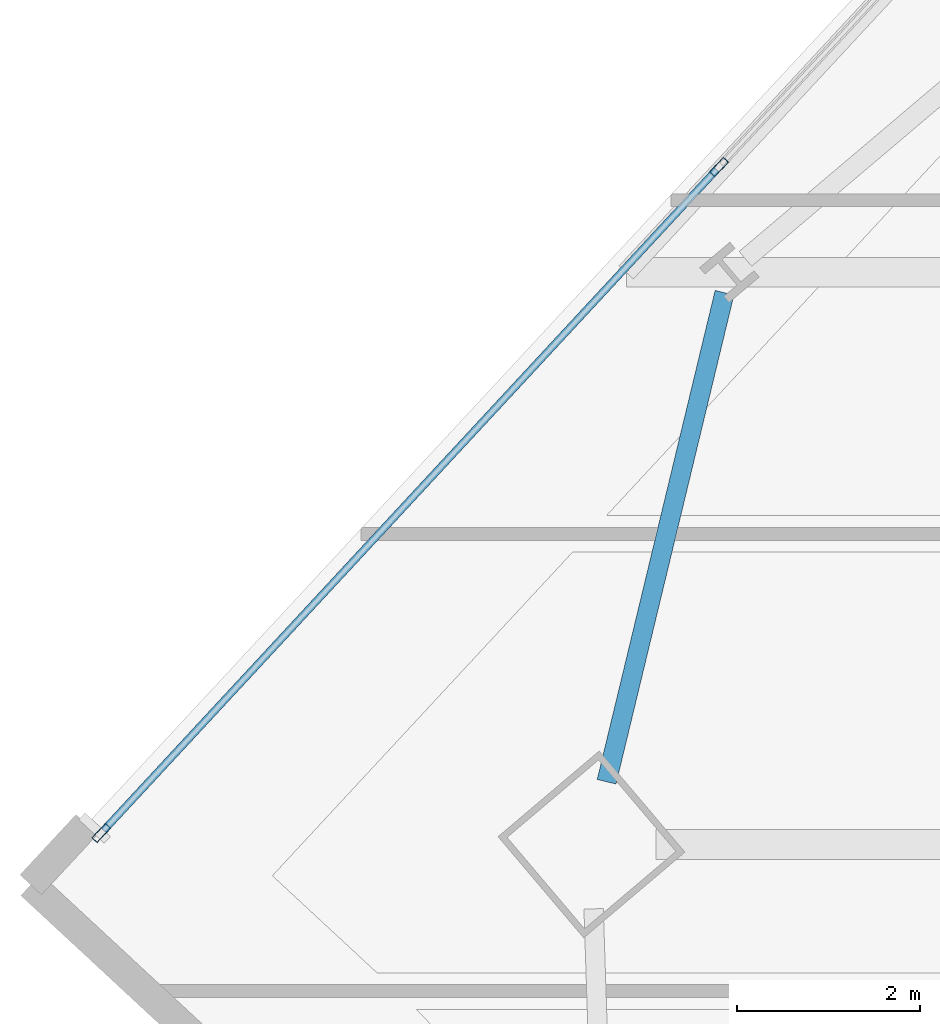
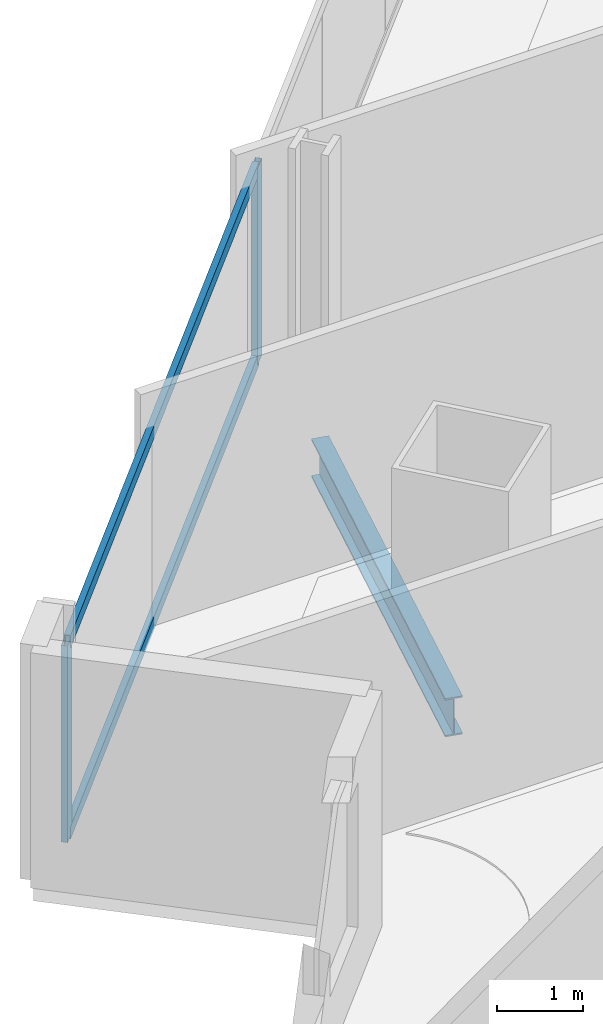
# One storey, part 13 of 32: 4 members, 1 beam, 1 element without a shape of its own.
"""IFC4 building model written with IfcOpenShell, lengths in metres."""

from ifc_helpers import new_model, si_unit, direction, frame, origin, origin_2d, place, context, subcontext, project, spatial, hollow_rectangle, i_section, extrude, material, material_profile, profile_set, type_object, element, aggregate, save


model = new_model("IFC4")

# Units and contexts
model_context = context("Model", 3, precision=1e-05, world=origin(), true_north=direction((0.0, 1.0)))
body_context = subcontext(model_context, "Body", "Model", "MODEL_VIEW")
ifc_project = project(units=[si_unit("LENGTHUNIT", "METRE"), si_unit("AREAUNIT", "SQUARE_METRE"), si_unit("VOLUMEUNIT", "CUBIC_METRE"), si_unit("PLANEANGLEUNIT", "RADIAN"), si_unit("MASSUNIT", "GRAM", prefix="KILO")], contexts=[model_context])

# Site, building, storey
site_placement = place(None, origin())
site = spatial("IfcSite", under=ifc_project, at=site_placement, CompositionType="ELEMENT")
building_placement = place(site_placement, origin())
building = spatial("IfcBuilding", under=site, at=building_placement, Name="Haldenkirk Collegiate Tower", CompositionType="ELEMENT")
storey_placement = place(building_placement, frame((0.0, 0.0, 185.699951171875)))
storey = spatial("IfcBuildingStorey", under=building, at=storey_placement, Name="L46", CompositionType="ELEMENT", Elevation=185.699951171875)

# Beam
ifc_material_1 = material(Name="Steel ASTM A992 Grade 50", Category="steel")
ifc_material_profile_1 = material_profile(ifc_material_1, i_section(OverallWidth=0.2119140625, OverallDepth=0.5439453125, WebThickness=0.01318359375, FlangeThickness=0.021240234375, at=origin_2d()), Name="W21X83")
ifc_profile_set_1 = profile_set([ifc_material_profile_1], Name="Steel ASTM A992 Grade 50")
beam_type = type_object("IfcBeamType", Name="BM-SPANDREL-W21X83", PredefinedType="SPANDREL", material=ifc_profile_set_1)
beam_placement = place(storey_placement, frame((12.21630859375, 33.137451171875, -0.56201171875), z_axis=(-0.234477140293, -0.972121633686, 0.0), x_axis=(0.972121633686, -0.234477140293, 0.0)))
element("IfcBeam", 1, at=beam_placement, inside=storey, type_object=beam_type, Name="L46 perimeter spandrel beam 12", PredefinedType="SPANDREL", context=body_context, shape_type="SweptSolid", body=[
    extrude(i_section(OverallWidth=0.2119140625, OverallDepth=0.5439453125, WebThickness=0.01318359375, FlangeThickness=0.021240234375, at=origin_2d()), origin(), (0.0, 0.0, 1.0), 5.501708984375),
])

# Curtain wall, members
ifc_material_2 = material(Name="Anodised architectural bronze aluminium", Category="aluminium")
curtain_wall_type = type_object("IfcCurtainWallType", Name="CW-SYS1-CONVEX-LOW", PredefinedType="USERDEFINED", material=ifc_material_2)
curtain_wall_placement = place(storey_placement, origin())
curtain_wall = element("IfcCurtainWall", 2, at=curtain_wall_placement, inside=storey, type_object=curtain_wall_type, Name="L46 Lower tower convex bronze-framed unitised curtain wall", ObjectType="UNITISED CURTAIN WALL", PredefinedType="USERDEFINED")
ifc_material_profile_2 = material_profile(ifc_material_2, hollow_rectangle(XDim=0.080078125, YDim=0.219970703125, WallThickness=0.0048828125, at=origin_2d()), Name="CW-MUL-1A")
ifc_profile_set_2 = profile_set([ifc_material_profile_2], Name="Anodised architectural bronze aluminium")
member_type_1 = type_object("IfcMemberType", Name="CW-MUL-1A", PredefinedType="MULLION", material=ifc_profile_set_2)
member_1_placement = place(storey_placement, frame((5.3994140625, 27.228759765625, 0.0), z_axis=(0.0, 0.0, 1.0), x_axis=(-0.733137779244, 0.680080139869, 0.0)))
member_1 = element("IfcMember", 3, at=member_1_placement, type_object=member_type_1, Name="CW-1A mullion 1", PredefinedType="MULLION", context=body_context, shape_type="SweptSolid", body=[
    extrude(hollow_rectangle(XDim=0.080078125, YDim=0.219970703125, WallThickness=0.0048828125, at=origin_2d()), origin(), (0.0, 0.0, 1.0), 2.791015625),
])
member_2_placement = place(storey_placement, frame((12.156005859375, 34.512451171875, 0.0), z_axis=(0.0, 0.0, 1.0), x_axis=(-0.733137779244, 0.680080139869, 0.0)))
member_2 = element("IfcMember", 4, at=member_2_placement, type_object=member_type_1, Name="CW-1A mullion 2", PredefinedType="MULLION", context=body_context, shape_type="SweptSolid", body=[
    extrude(hollow_rectangle(XDim=0.080078125, YDim=0.219970703125, WallThickness=0.0048828125, at=origin_2d()), origin(), (0.0, 0.0, 1.0), 2.791015625),
])
ifc_material_profile_3 = material_profile(ifc_material_2, hollow_rectangle(XDim=0.080078125, YDim=0.179931640625, WallThickness=0.0048828125, at=origin_2d()), Name="CW-TRN-1A")
ifc_profile_set_3 = profile_set([ifc_material_profile_3], Name="Anodised architectural bronze aluminium")
member_type_2 = type_object("IfcMemberType", Name="CW-TRN-1A", PredefinedType="USERDEFINED", material=ifc_profile_set_3)
member_3_placement = place(storey_placement, frame((5.4267578125, 27.258056640625, 0.0400390625), z_axis=(0.68007662831, 0.733141036654, 0.0), x_axis=(-0.733141036654, 0.68007662831, 0.0)))
member_3 = element("IfcMember", 5, at=member_3_placement, type_object=member_type_2, Name="CW-1A transom 1.1", ObjectType="TRANSOM", PredefinedType="USERDEFINED", context=body_context, shape_type="SweptSolid", body=[
    extrude(hollow_rectangle(XDim=0.080078125, YDim=0.179931640625, WallThickness=0.0048828125, at=origin_2d()), origin(), (0.0, 0.0, 1.0), 9.85498046875),
])
member_4_placement = place(storey_placement, frame((5.4267578125, 27.258056640625, 2.7509765625), z_axis=(0.68007662831, 0.733141036654, 0.0), x_axis=(-0.733141036654, 0.68007662831, 0.0)))
member_4 = element("IfcMember", 6, at=member_4_placement, type_object=member_type_2, Name="CW-1A transom 1.2", ObjectType="TRANSOM", PredefinedType="USERDEFINED", context=body_context, shape_type="SweptSolid", body=[
    extrude(hollow_rectangle(XDim=0.080078125, YDim=0.179931640625, WallThickness=0.0048828125, at=origin_2d()), origin(), (0.0, 0.0, 1.0), 9.85498046875),
])
aggregate(curtain_wall, [member_1, member_2, member_3, member_4])

save(model, "model.ifc")
